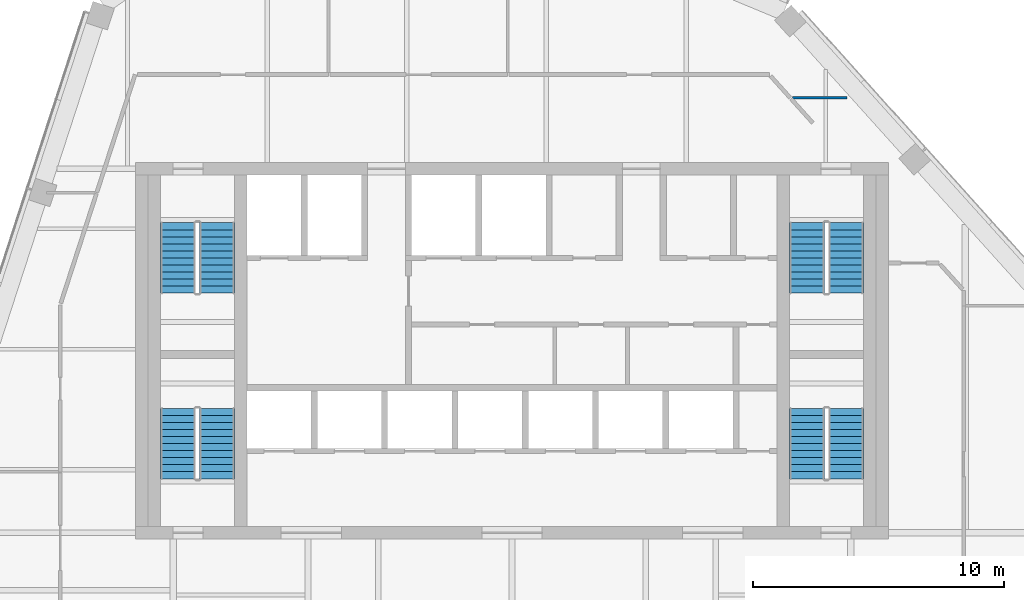
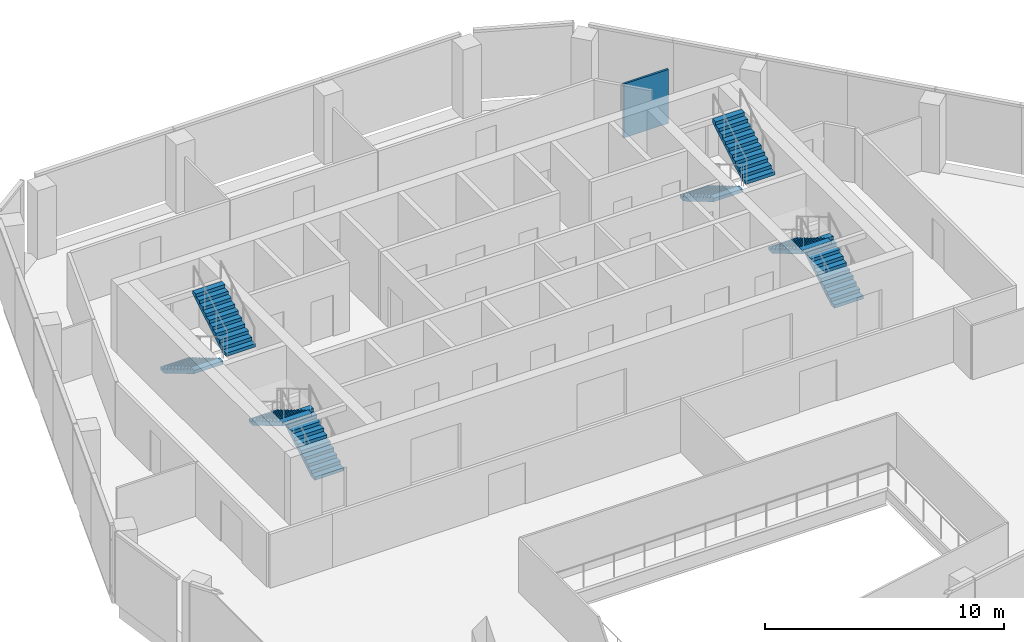
# One storey, part 10 of 15: 8 stair flights, 1 wall, 4 elements without a shape of their own.
"""IFC4 building model written with IfcOpenShell, lengths in metres."""

from ifc_helpers import new_model, si_unit, direction, frame, frame_2d, origin, place, context, subcontext, project, spatial, polyline, rectangle, outline, extrude, material, layer, layer_set, type_object, element, aggregate, save


model = new_model("IFC4")

# Units and contexts
model_context = context("Model", 3, precision=1e-05, world=origin(), true_north=direction((0.0, 1.0)))
body_context = subcontext(model_context, "Body", "Model", "MODEL_VIEW")
ifc_project = project(units=[si_unit("LENGTHUNIT", "METRE"), si_unit("AREAUNIT", "SQUARE_METRE"), si_unit("VOLUMEUNIT", "CUBIC_METRE"), si_unit("PLANEANGLEUNIT", "RADIAN"), si_unit("MASSUNIT", "GRAM", prefix="KILO")], contexts=[model_context])

# Site, building, storey
site_placement = place(None, origin())
site = spatial("IfcSite", under=ifc_project, at=site_placement, CompositionType="ELEMENT")
building_placement = place(site_placement, origin())
building = spatial("IfcBuilding", under=site, at=building_placement, Name="Isthmus Gate Tower", CompositionType="ELEMENT")
storey_placement = place(building_placement, frame((0.0, 0.0, 286.5)))
storey = spatial("IfcBuildingStorey", under=building, at=storey_placement, Name="L73", CompositionType="ELEMENT", Elevation=286.5)

# Wall
ifc_material_1 = material(Name="Gypsum board on steel studs, fire-rated", Category="steel")
ifc_layer = layer(ifc_material_1, 0.10009765625)
ifc_layer_set = layer_set([ifc_layer], Name="ROOM PARTITION 100 30 MIN")
wall_type = type_object("IfcWallType", Name="ROOM PARTITION 100 30 MIN", PredefinedType="PARTITIONING", material=ifc_layer_set)
wall_placement = place(storey_placement, frame((11.180908203125, 17.580078125, 0.0), z_axis=(0.0, 0.0, 1.0), x_axis=(1.0, 0.0, 0.0)))
element("IfcWall", 1, at=wall_placement, inside=storey, type_object=wall_type, Name="L73 Room Partition 100 30 Min", PredefinedType="PARTITIONING", context=body_context, shape_type="SweptSolid", body=[
    extrude(rectangle(XDim=2.156005859375, YDim=0.10009765625, at=frame_2d((1.078125, 0.0))), origin(), (0.0, 0.0, 1.0), 2.750732421875),
])

# Stair, stair flights
ifc_material_2 = material(Name="Concrete f'c 40 MPa", Category="concrete")
stair_type = type_object("IfcStairType", Name="CORE STAIR 22 RISERS", PredefinedType="HALF_TURN_STAIR", material=ifc_material_2)
stair_1_placement = place(storey_placement, origin())
stair_1 = element("IfcStair", 2, at=stair_1_placement, inside=storey, type_object=stair_type, Name="L73 Exit Stair 1", PredefinedType="HALF_TURN_STAIR")
ifc_material_3 = material(Name="Concrete f'c 40 MPa", Category="concrete")
stair_flight_type = type_object("IfcStairFlightType", Name="STAIR FLIGHT RC 1400", PredefinedType="STRAIGHT", material=ifc_material_3)
stair_flight_1_placement = place(storey_placement, frame((-13.300048828125, 12.60009765625, 0.0), z_axis=(0.0, 0.0, 1.0), x_axis=(0.0, -1.0, 0.0)))
stair_flight_1 = element("IfcStairFlight", 3, at=stair_flight_1_placement, type_object=stair_flight_type, Name="ST1 flight 1", NumberOfRisers=11, NumberOfTreads=10, PredefinedType="STRAIGHT", RiserHeight=0.165909091, TreadLength=0.28, context=body_context, shape_type="SweptSolid", body=[
    extrude(outline(polyline([(0.0, 0.0), (0.0, 0.166015625), (0.280029296875, 0.166015625), (0.280029296875, 0.331787109375), (0.56005859375, 0.331787109375), (0.56005859375, 0.497802734375), (0.840087890625, 0.497802734375), (0.840087890625, 0.66357421875), (1.1201171875, 0.66357421875), (1.1201171875, 0.82958984375), (1.39990234375, 0.82958984375), (1.39990234375, 0.995361328125), (1.679931640625, 0.995361328125), (1.679931640625, 1.161376953125), (1.9599609375, 1.161376953125), (1.9599609375, 1.327392578125), (2.239990234375, 1.327392578125), (2.239990234375, 1.4931640625), (2.52001953125, 1.4931640625), (2.52001953125, 1.6591796875), (2.800048828125, 1.6591796875), (2.800048828125, 1.824951171875), (2.800048828125, 1.48486328125), (0.2939453125, 0.0), (0.0, 0.0)])), frame((0.0, 0.699951171875, 0.0), z_axis=(0.0, -1.0, 0.0), x_axis=(1.0, 0.0, 0.0)), (0.0, 0.0, 1.0), 1.39990234375),
])
stair_flight_2_placement = place(storey_placement, frame((-11.75, 9.800048828125, 1.824951171875), z_axis=(0.0, 0.0, 1.0), x_axis=(0.0, 1.0, 0.0)))
stair_flight_2 = element("IfcStairFlight", 4, at=stair_flight_2_placement, type_object=stair_flight_type, Name="ST1 flight 2", NumberOfRisers=11, NumberOfTreads=10, PredefinedType="STRAIGHT", RiserHeight=0.165909091, TreadLength=0.28, context=body_context, shape_type="SweptSolid", body=[
    extrude(outline(polyline([(0.0, 0.0), (0.0, 0.166015625), (0.280029296875, 0.166015625), (0.280029296875, 0.331787109375), (0.56005859375, 0.331787109375), (0.56005859375, 0.497802734375), (0.840087890625, 0.497802734375), (0.840087890625, 0.66357421875), (1.1201171875, 0.66357421875), (1.1201171875, 0.82958984375), (1.39990234375, 0.82958984375), (1.39990234375, 0.995361328125), (1.679931640625, 0.995361328125), (1.679931640625, 1.161376953125), (1.9599609375, 1.161376953125), (1.9599609375, 1.327392578125), (2.239990234375, 1.327392578125), (2.239990234375, 1.4931640625), (2.52001953125, 1.4931640625), (2.52001953125, 1.6591796875), (2.800048828125, 1.6591796875), (2.800048828125, 1.824951171875), (2.800048828125, 1.48486328125), (0.2939453125, 0.0), (0.0, 0.0)])), frame((0.0, 0.699951171875, 0.0), z_axis=(0.0, -1.0, 0.0), x_axis=(1.0, 0.0, 0.0)), (0.0, 0.0, 1.0), 1.39990234375),
])
aggregate(stair_1, [stair_flight_1, stair_flight_2])

stair_2_placement = place(storey_placement, origin())
stair_2 = element("IfcStair", 5, at=stair_2_placement, inside=storey, type_object=stair_type, Name="L73 Exit Stair 2", PredefinedType="HALF_TURN_STAIR")
stair_flight_3_placement = place(storey_placement, frame((11.75, 12.60009765625, 0.0), z_axis=(0.0, 0.0, 1.0), x_axis=(0.0, -1.0, 0.0)))
stair_flight_3 = element("IfcStairFlight", 6, at=stair_flight_3_placement, type_object=stair_flight_type, Name="ST2 flight 1", NumberOfRisers=11, NumberOfTreads=10, PredefinedType="STRAIGHT", RiserHeight=0.165909091, TreadLength=0.28, context=body_context, shape_type="SweptSolid", body=[
    extrude(outline(polyline([(0.0, 0.0), (0.0, 0.166015625), (0.280029296875, 0.166015625), (0.280029296875, 0.331787109375), (0.56005859375, 0.331787109375), (0.56005859375, 0.497802734375), (0.840087890625, 0.497802734375), (0.840087890625, 0.66357421875), (1.1201171875, 0.66357421875), (1.1201171875, 0.82958984375), (1.39990234375, 0.82958984375), (1.39990234375, 0.995361328125), (1.679931640625, 0.995361328125), (1.679931640625, 1.161376953125), (1.9599609375, 1.161376953125), (1.9599609375, 1.327392578125), (2.239990234375, 1.327392578125), (2.239990234375, 1.4931640625), (2.52001953125, 1.4931640625), (2.52001953125, 1.6591796875), (2.800048828125, 1.6591796875), (2.800048828125, 1.824951171875), (2.800048828125, 1.48486328125), (0.2939453125, 0.0), (0.0, 0.0)])), frame((0.0, 0.699951171875, 0.0), z_axis=(0.0, -1.0, 0.0), x_axis=(1.0, 0.0, 0.0)), (0.0, 0.0, 1.0), 1.39990234375),
])
stair_flight_4_placement = place(storey_placement, frame((13.300048828125, 9.800048828125, 1.824951171875), z_axis=(0.0, 0.0, 1.0), x_axis=(0.0, 1.0, 0.0)))
stair_flight_4 = element("IfcStairFlight", 7, at=stair_flight_4_placement, type_object=stair_flight_type, Name="ST2 flight 2", NumberOfRisers=11, NumberOfTreads=10, PredefinedType="STRAIGHT", RiserHeight=0.165909091, TreadLength=0.28, context=body_context, shape_type="SweptSolid", body=[
    extrude(outline(polyline([(0.0, 0.0), (0.0, 0.166015625), (0.280029296875, 0.166015625), (0.280029296875, 0.331787109375), (0.56005859375, 0.331787109375), (0.56005859375, 0.497802734375), (0.840087890625, 0.497802734375), (0.840087890625, 0.66357421875), (1.1201171875, 0.66357421875), (1.1201171875, 0.82958984375), (1.39990234375, 0.82958984375), (1.39990234375, 0.995361328125), (1.679931640625, 0.995361328125), (1.679931640625, 1.161376953125), (1.9599609375, 1.161376953125), (1.9599609375, 1.327392578125), (2.239990234375, 1.327392578125), (2.239990234375, 1.4931640625), (2.52001953125, 1.4931640625), (2.52001953125, 1.6591796875), (2.800048828125, 1.6591796875), (2.800048828125, 1.824951171875), (2.800048828125, 1.48486328125), (0.2939453125, 0.0), (0.0, 0.0)])), frame((0.0, 0.699951171875, 0.0), z_axis=(0.0, -1.0, 0.0), x_axis=(1.0, 0.0, 0.0)), (0.0, 0.0, 1.0), 1.39990234375),
])
aggregate(stair_2, [stair_flight_3, stair_flight_4])

stair_3_placement = place(storey_placement, origin())
stair_3 = element("IfcStair", 8, at=stair_3_placement, inside=storey, type_object=stair_type, Name="L73 Exit Stair 7", PredefinedType="HALF_TURN_STAIR")
stair_flight_5_placement = place(storey_placement, frame((-11.75, 2.39990234375, 0.0), z_axis=(0.0, 0.0, 1.0), x_axis=(0.0, 1.0, 0.0)))
stair_flight_5 = element("IfcStairFlight", 9, at=stair_flight_5_placement, type_object=stair_flight_type, Name="ST7 flight 1", NumberOfRisers=11, NumberOfTreads=10, PredefinedType="STRAIGHT", RiserHeight=0.165909091, TreadLength=0.28, context=body_context, shape_type="SweptSolid", body=[
    extrude(outline(polyline([(0.0, 0.0), (0.0, 0.166015625), (0.280029296875, 0.166015625), (0.280029296875, 0.331787109375), (0.56005859375, 0.331787109375), (0.56005859375, 0.497802734375), (0.840087890625, 0.497802734375), (0.840087890625, 0.66357421875), (1.1201171875, 0.66357421875), (1.1201171875, 0.82958984375), (1.39990234375, 0.82958984375), (1.39990234375, 0.995361328125), (1.679931640625, 0.995361328125), (1.679931640625, 1.161376953125), (1.9599609375, 1.161376953125), (1.9599609375, 1.327392578125), (2.239990234375, 1.327392578125), (2.239990234375, 1.4931640625), (2.52001953125, 1.4931640625), (2.52001953125, 1.6591796875), (2.800048828125, 1.6591796875), (2.800048828125, 1.824951171875), (2.800048828125, 1.48486328125), (0.2939453125, 0.0), (0.0, 0.0)])), frame((0.0, 0.699951171875, 0.0), z_axis=(0.0, -1.0, 0.0), x_axis=(1.0, 0.0, 0.0)), (0.0, 0.0, 1.0), 1.39990234375),
])
stair_flight_6_placement = place(storey_placement, frame((-13.300048828125, 5.199951171875, 1.824951171875), z_axis=(0.0, 0.0, 1.0), x_axis=(0.0, -1.0, 0.0)))
stair_flight_6 = element("IfcStairFlight", 10, at=stair_flight_6_placement, type_object=stair_flight_type, Name="ST7 flight 2", NumberOfRisers=11, NumberOfTreads=10, PredefinedType="STRAIGHT", RiserHeight=0.165909091, TreadLength=0.28, context=body_context, shape_type="SweptSolid", body=[
    extrude(outline(polyline([(0.0, 0.0), (0.0, 0.166015625), (0.280029296875, 0.166015625), (0.280029296875, 0.331787109375), (0.56005859375, 0.331787109375), (0.56005859375, 0.497802734375), (0.840087890625, 0.497802734375), (0.840087890625, 0.66357421875), (1.1201171875, 0.66357421875), (1.1201171875, 0.82958984375), (1.39990234375, 0.82958984375), (1.39990234375, 0.995361328125), (1.679931640625, 0.995361328125), (1.679931640625, 1.161376953125), (1.9599609375, 1.161376953125), (1.9599609375, 1.327392578125), (2.239990234375, 1.327392578125), (2.239990234375, 1.4931640625), (2.52001953125, 1.4931640625), (2.52001953125, 1.6591796875), (2.800048828125, 1.6591796875), (2.800048828125, 1.824951171875), (2.800048828125, 1.48486328125), (0.2939453125, 0.0), (0.0, 0.0)])), frame((0.0, 0.699951171875, 0.0), z_axis=(0.0, -1.0, 0.0), x_axis=(1.0, 0.0, 0.0)), (0.0, 0.0, 1.0), 1.39990234375),
])
aggregate(stair_3, [stair_flight_5, stair_flight_6])

stair_4_placement = place(storey_placement, origin())
stair_4 = element("IfcStair", 11, at=stair_4_placement, inside=storey, type_object=stair_type, Name="L73 Exit Stair 8", PredefinedType="HALF_TURN_STAIR")
stair_flight_7_placement = place(storey_placement, frame((13.300048828125, 2.39990234375, 0.0), z_axis=(0.0, 0.0, 1.0), x_axis=(0.0, 1.0, 0.0)))
stair_flight_7 = element("IfcStairFlight", 12, at=stair_flight_7_placement, type_object=stair_flight_type, Name="ST8 flight 1", NumberOfRisers=11, NumberOfTreads=10, PredefinedType="STRAIGHT", RiserHeight=0.165909091, TreadLength=0.28, context=body_context, shape_type="SweptSolid", body=[
    extrude(outline(polyline([(0.0, 0.0), (0.0, 0.166015625), (0.280029296875, 0.166015625), (0.280029296875, 0.331787109375), (0.56005859375, 0.331787109375), (0.56005859375, 0.497802734375), (0.840087890625, 0.497802734375), (0.840087890625, 0.66357421875), (1.1201171875, 0.66357421875), (1.1201171875, 0.82958984375), (1.39990234375, 0.82958984375), (1.39990234375, 0.995361328125), (1.679931640625, 0.995361328125), (1.679931640625, 1.161376953125), (1.9599609375, 1.161376953125), (1.9599609375, 1.327392578125), (2.239990234375, 1.327392578125), (2.239990234375, 1.4931640625), (2.52001953125, 1.4931640625), (2.52001953125, 1.6591796875), (2.800048828125, 1.6591796875), (2.800048828125, 1.824951171875), (2.800048828125, 1.48486328125), (0.2939453125, 0.0), (0.0, 0.0)])), frame((0.0, 0.699951171875, 0.0), z_axis=(0.0, -1.0, 0.0), x_axis=(1.0, 0.0, 0.0)), (0.0, 0.0, 1.0), 1.39990234375),
])
stair_flight_8_placement = place(storey_placement, frame((11.75, 5.199951171875, 1.824951171875), z_axis=(0.0, 0.0, 1.0), x_axis=(0.0, -1.0, 0.0)))
stair_flight_8 = element("IfcStairFlight", 13, at=stair_flight_8_placement, type_object=stair_flight_type, Name="ST8 flight 2", NumberOfRisers=11, NumberOfTreads=10, PredefinedType="STRAIGHT", RiserHeight=0.165909091, TreadLength=0.28, context=body_context, shape_type="SweptSolid", body=[
    extrude(outline(polyline([(0.0, 0.0), (0.0, 0.166015625), (0.280029296875, 0.166015625), (0.280029296875, 0.331787109375), (0.56005859375, 0.331787109375), (0.56005859375, 0.497802734375), (0.840087890625, 0.497802734375), (0.840087890625, 0.66357421875), (1.1201171875, 0.66357421875), (1.1201171875, 0.82958984375), (1.39990234375, 0.82958984375), (1.39990234375, 0.995361328125), (1.679931640625, 0.995361328125), (1.679931640625, 1.161376953125), (1.9599609375, 1.161376953125), (1.9599609375, 1.327392578125), (2.239990234375, 1.327392578125), (2.239990234375, 1.4931640625), (2.52001953125, 1.4931640625), (2.52001953125, 1.6591796875), (2.800048828125, 1.6591796875), (2.800048828125, 1.824951171875), (2.800048828125, 1.48486328125), (0.2939453125, 0.0), (0.0, 0.0)])), frame((0.0, 0.699951171875, 0.0), z_axis=(0.0, -1.0, 0.0), x_axis=(1.0, 0.0, 0.0)), (0.0, 0.0, 1.0), 1.39990234375),
])
aggregate(stair_4, [stair_flight_7, stair_flight_8])

save(model, "model.ifc")
